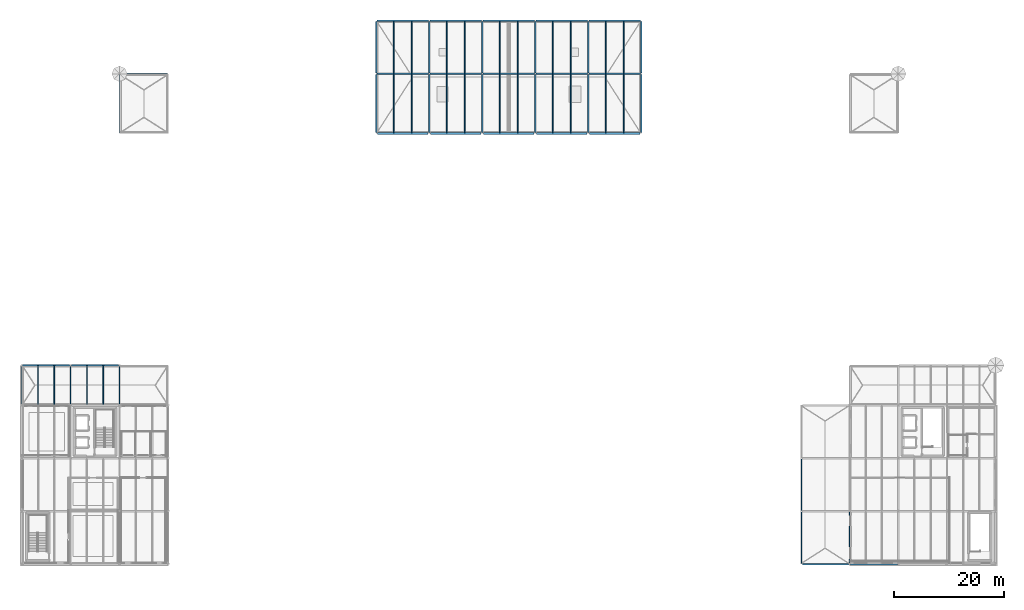
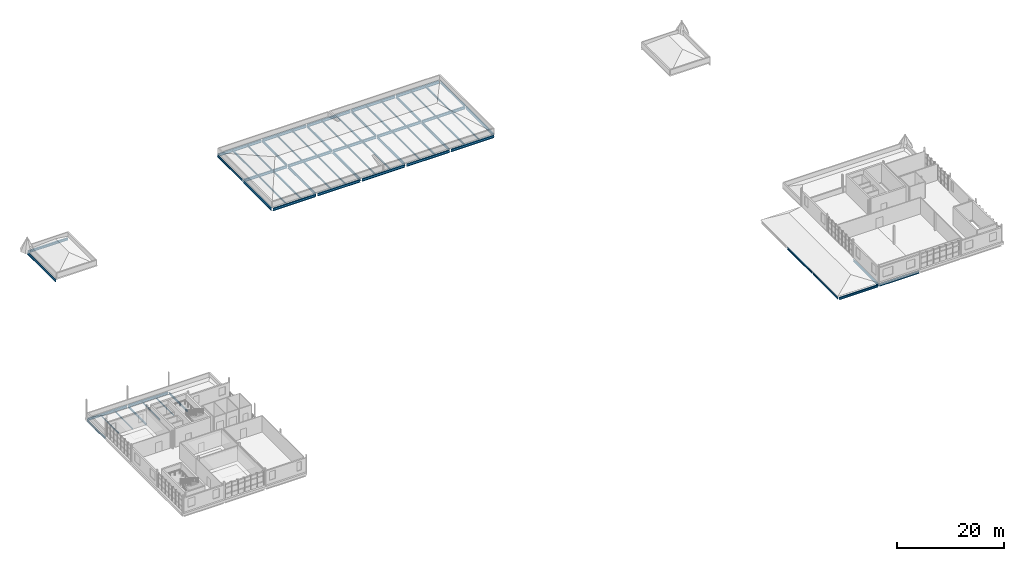
# One storey, part 10 of 28: 63 beams.
"""IFC4 building model written with IfcOpenShell, lengths in metres."""

from ifc_helpers import new_model, si_unit, direction, frame, origin, origin_2d, place, context, subcontext, project, spatial, i_section, extrude, material, material_profile, profile_set, type_object, element, save


model = new_model("IFC4")

# Units and contexts
model_context = context("Model", 3, precision=1e-05, world=origin(), true_north=direction((0.0, 1.0)))
body_context = subcontext(model_context, "Body", "Model", "MODEL_VIEW")
ifc_project = project(units=[si_unit("LENGTHUNIT", "METRE"), si_unit("AREAUNIT", "SQUARE_METRE"), si_unit("VOLUMEUNIT", "CUBIC_METRE"), si_unit("PLANEANGLEUNIT", "RADIAN"), si_unit("MASSUNIT", "GRAM", prefix="KILO")], contexts=[model_context])

# Site, building, storey
site_placement = place(None, origin())
site = spatial("IfcSite", under=ifc_project, at=site_placement, CompositionType="ELEMENT")
building_placement = place(site_placement, origin())
building = spatial("IfcBuilding", under=site, at=building_placement, Name="Yeouljin Market Hall", CompositionType="ELEMENT")
storey_placement = place(building_placement, frame((0.0, 0.0, 15.0)))
storey = spatial("IfcBuildingStorey", under=building, at=storey_placement, Name="L03", CompositionType="ELEMENT", Elevation=15.0)

# Beams
ifc_material_1 = material(Name="Steel SM355", Category="steel")
ifc_material_profile_1 = material_profile(ifc_material_1, i_section(OverallWidth=0.199951171875, OverallDepth=0.39990234375, WebThickness=0.008056640625, FlangeThickness=0.012939453125, FilletRadius=0.01611328125, at=origin_2d()), Name="H-400x200x8x13")
ifc_profile_set_1 = profile_set([ifc_material_profile_1], Name="Steel SM355")
beam_type_1 = type_object("IfcBeamType", Name="Beam_H-400x200x8x13", PredefinedType="BEAM", material=ifc_profile_set_1)
for number, where, z_axis, x_axis, name in (
    (1, (0.0, 28.949951171875, -0.465087890625), (0.0, 1.0, 0.0), (-1.0, 0.0, 0.0), "Primary beam BM-L03-Y049"),
    (2, (8.85009765625, 28.949951171875, -0.465087890625), (0.0, 1.0, 0.0), (-1.0, 0.0, 0.0), "Primary beam BM-L03-Y053"),
    (3, (17.699951171875, 28.949951171875, -0.465087890625), (0.0, 1.0, 0.0), (-1.0, 0.0, 0.0), "Primary beam BM-L03-Y057"),
):
    element("IfcBeam", number, at=place(storey_placement, frame(where, z_axis=z_axis, x_axis=x_axis)), inside=storey, type_object=beam_type_1, Name=name, PredefinedType="BEAM", context=body_context, shape_type="SweptSolid", body=[
        extrude(i_section(OverallWidth=0.199951171875, OverallDepth=0.39990234375, WebThickness=0.008056640625, FlangeThickness=0.012939453125, FilletRadius=0.01611328125, at=origin_2d()), origin(), (0.0, 0.0, 1.0), 6.900146484375),
    ])
ifc_material_2 = material(Name="Steel SM355", Category="steel")
ifc_material_profile_2 = material_profile(ifc_material_2, i_section(OverallWidth=0.199951171875, OverallDepth=0.449951171875, WebThickness=0.009033203125, FlangeThickness=0.013916015625, FilletRadius=0.01806640625, at=origin_2d()), Name="H-450x200x9x14")
ifc_profile_set_2 = profile_set([ifc_material_profile_2], Name="Steel SM355")
beam_type_2 = type_object("IfcBeamType", Name="Beam_H-450x200x9x14", PredefinedType="BEAM", material=ifc_profile_set_2)
for number, where, z_axis, x_axis, name in (
    (4, (141.2451171875, 0.14990234375, -0.52490234375), (0.0, 1.0, 0.0), (-1.0, 0.0, 0.0), "Harbour terrace pergola beam BM-L02TR-Y05"),
    (5, (141.2451171875, 9.75, -0.52490234375), (0.0, 1.0, 0.0), (-1.0, 0.0, 0.0), "Harbour terrace pergola beam BM-L02TR-Y06"),
):
    element("IfcBeam", number, at=place(storey_placement, frame(where, z_axis=z_axis, x_axis=x_axis)), inside=storey, type_object=beam_type_2, Name=name, PredefinedType="BEAM", context=body_context, shape_type="SweptSolid", body=[
        extrude(i_section(OverallWidth=0.199951171875, OverallDepth=0.449951171875, WebThickness=0.009033203125, FlangeThickness=0.013916015625, FilletRadius=0.01806640625, at=origin_2d()), origin(), (0.0, 0.0, 1.0), 9.300048828125),
    ])
ifc_material_3 = material(Name="Steel SM355", Category="steel")
ifc_material_profile_3 = material_profile(ifc_material_3, i_section(OverallWidth=0.199951171875, OverallDepth=0.5, WebThickness=0.010009765625, FlangeThickness=0.01611328125, FilletRadius=0.02001953125, at=origin_2d()), Name="H-500x200x10x16")
ifc_profile_set_3 = profile_set([ifc_material_profile_3], Name="Steel SM355")
beam_type_3 = type_object("IfcBeamType", Name="Beam_H-500x200x10x16", PredefinedType="BEAM", material=ifc_profile_set_3)
for number, where, z_axis, x_axis, name in (
    (6, (64.199951171875, 88.925048828125, -0.530029296875), (0.0, 1.0, 0.0), (-1.0, 0.0, 0.0), "Primary beam BM-L03-Y063"),
    (7, (73.800048828125, 88.925048828125, -0.530029296875), (0.0, 1.0, 0.0), (-1.0, 0.0, 0.0), "Primary beam BM-L03-Y065"),
    (8, (83.39990234375, 88.925048828125, -0.530029296875), (0.0, 1.0, 0.0), (-1.0, 0.0, 0.0), "Primary beam BM-L03-Y067"),
    (9, (93.0, 88.925048828125, -0.530029296875), (0.0, 1.0, 0.0), (-1.0, 0.0, 0.0), "Primary beam BM-L03-Y069"),
    (10, (102.60009765625, 88.925048828125, -0.530029296875), (0.0, 1.0, 0.0), (-1.0, 0.0, 0.0), "Primary beam BM-L03-Y071"),
    (11, (112.199951171875, 88.925048828125, -0.530029296875), (0.0, 1.0, 0.0), (-1.0, 0.0, 0.0), "Primary beam BM-L03-Y073"),
):
    element("IfcBeam", number, at=place(storey_placement, frame(where, z_axis=z_axis, x_axis=x_axis)), inside=storey, type_object=beam_type_3, Name=name, PredefinedType="BEAM", context=body_context, shape_type="SweptSolid", body=[
        extrude(i_section(OverallWidth=0.199951171875, OverallDepth=0.5, WebThickness=0.010009765625, FlangeThickness=0.01611328125, FilletRadius=0.02001953125, at=origin_2d()), origin(), (0.0, 0.0, 1.0), 9.349853515625),
    ])
beam_1_placement = place(storey_placement, frame((149.909912109375, 0.125, -0.5048828125), z_axis=(0.0, 1.0, 0.0), x_axis=(-1.0, 0.0, 0.0)))
element("IfcBeam", 12, at=beam_1_placement, inside=storey, type_object=beam_type_3, Name="Primary beam BM-L03-Y074", PredefinedType="BEAM", context=body_context, shape_type="SweptSolid", body=[
    extrude(i_section(OverallWidth=0.199951171875, OverallDepth=0.5, WebThickness=0.010009765625, FlangeThickness=0.01611328125, FilletRadius=0.02001953125, at=origin_2d()), origin(), (0.0, 0.0, 1.0), 9.35009765625),
])
ifc_material_4 = material(Name="Steel SM355", Category="steel")
ifc_material_profile_4 = material_profile(ifc_material_4, i_section(OverallWidth=0.199951171875, OverallDepth=0.60009765625, WebThickness=0.010986328125, FlangeThickness=0.01708984375, FilletRadius=0.02197265625, at=origin_2d()), Name="H-600x200x11x17")
ifc_profile_set_4 = profile_set([ifc_material_profile_4], Name="Steel SM355")
beam_type_4 = type_object("IfcBeamType", Name="Beam_H-600x200x11x17", PredefinedType="BEAM", material=ifc_profile_set_4)
beam_2_placement = place(storey_placement, frame((17.699951171875, 78.125, -0.56494140625), z_axis=(0.0, 1.0, 0.0), x_axis=(-1.0, 0.0, 0.0)))
element("IfcBeam", 13, at=beam_2_placement, inside=storey, type_object=beam_type_4, Name="Primary beam BM-L03-Y058", PredefinedType="BEAM", context=body_context, shape_type="SweptSolid", body=[
    extrude(i_section(OverallWidth=0.199951171875, OverallDepth=0.60009765625, WebThickness=0.010986328125, FlangeThickness=0.01708984375, FilletRadius=0.02197265625, at=origin_2d()), origin(), (0.0, 0.0, 1.0), 10.550048828125),
])
for number, where, z_axis, x_axis, name in (
    (14, (64.199951171875, 78.199951171875, -0.580078125), (0.0, 1.0, 0.0), (-1.0, 0.0, 0.0), "Primary beam BM-L03-Y062"),
    (15, (73.800048828125, 78.199951171875, -0.580078125), (0.0, 1.0, 0.0), (-1.0, 0.0, 0.0), "Primary beam BM-L03-Y064"),
    (16, (83.39990234375, 78.199951171875, -0.580078125), (0.0, 1.0, 0.0), (-1.0, 0.0, 0.0), "Primary beam BM-L03-Y066"),
    (17, (93.0, 78.199951171875, -0.580078125), (0.0, 1.0, 0.0), (-1.0, 0.0, 0.0), "Primary beam BM-L03-Y068"),
    (18, (102.60009765625, 78.199951171875, -0.580078125), (0.0, 1.0, 0.0), (-1.0, 0.0, 0.0), "Primary beam BM-L03-Y070"),
    (19, (112.199951171875, 78.199951171875, -0.580078125), (0.0, 1.0, 0.0), (-1.0, 0.0, 0.0), "Primary beam BM-L03-Y072"),
):
    element("IfcBeam", number, at=place(storey_placement, frame(where, z_axis=z_axis, x_axis=x_axis)), inside=storey, type_object=beam_type_4, Name=name, PredefinedType="BEAM", context=body_context, shape_type="SweptSolid", body=[
        extrude(i_section(OverallWidth=0.199951171875, OverallDepth=0.60009765625, WebThickness=0.010986328125, FlangeThickness=0.01708984375, FilletRadius=0.02197265625, at=origin_2d()), origin(), (0.0, 0.0, 1.0), 10.47509765625),
    ])
ifc_material_5 = material(Name="Steel SM355", Category="steel")
ifc_material_profile_5 = material_profile(ifc_material_5, i_section(OverallWidth=0.300048828125, OverallDepth=0.488037109375, WebThickness=0.010986328125, FlangeThickness=0.01806640625, FilletRadius=0.02197265625, at=origin_2d()), Name="H-488x300x11x18")
ifc_profile_set_5 = profile_set([ifc_material_profile_5], Name="Steel SM355")
beam_type_5 = type_object("IfcBeamType", Name="Girder_H-488x300x11x18", PredefinedType="USERDEFINED", material=ifc_profile_set_5)
beam_3_placement = place(storey_placement, frame((150.034912109375, 0.0, -0.509033203125), z_axis=(1.0, 0.0, 0.0), x_axis=(0.0, 1.0, 0.0)))
element("IfcBeam", 20, at=beam_3_placement, inside=storey, type_object=beam_type_5, Name="Primary girder GRD-L03-X004", ObjectType="GIRDER", PredefinedType="USERDEFINED", context=body_context, shape_type="SweptSolid", body=[
    extrude(i_section(OverallWidth=0.300048828125, OverallDepth=0.488037109375, WebThickness=0.010986328125, FlangeThickness=0.01806640625, FilletRadius=0.02197265625, at=origin_2d()), origin(), (0.0, 0.0, 1.0), 8.580078125),
])
for number, where, z_axis, x_axis, name in (
    (21, (0.14990234375, 36.0, -0.493896484375), (1.0, 0.0, 0.0), (0.0, 1.0, 0.0), "Primary girder GRD-L03-X025"),
    (22, (9.0, 36.0, -0.493896484375), (1.0, 0.0, 0.0), (0.0, 1.0, 0.0), "Primary girder GRD-L03-X026"),
):
    element("IfcBeam", number, at=place(storey_placement, frame(where, z_axis=z_axis, x_axis=x_axis)), inside=storey, type_object=beam_type_5, Name=name, ObjectType="GIRDER", PredefinedType="USERDEFINED", context=body_context, shape_type="SweptSolid", body=[
        extrude(i_section(OverallWidth=0.300048828125, OverallDepth=0.488037109375, WebThickness=0.010986328125, FlangeThickness=0.01806640625, FilletRadius=0.02197265625, at=origin_2d()), origin(), (0.0, 0.0, 1.0), 8.550048828125),
    ])
beam_4_placement = place(storey_placement, frame((17.824951171875, 88.800048828125, -0.509033203125), z_axis=(1.0, 0.0, 0.0), x_axis=(0.0, 1.0, 0.0)))
element("IfcBeam", 23, at=beam_4_placement, inside=storey, type_object=beam_type_5, Name="Primary girder GRD-L03-X034", ObjectType="GIRDER", PredefinedType="USERDEFINED", context=body_context, shape_type="SweptSolid", body=[
    extrude(i_section(OverallWidth=0.300048828125, OverallDepth=0.488037109375, WebThickness=0.010986328125, FlangeThickness=0.01806640625, FilletRadius=0.02197265625, at=origin_2d()), origin(), (0.0, 0.0, 1.0), 8.60009765625),
])
beam_5_placement = place(storey_placement, frame((141.39501953125, 0.0, -0.5439453125), z_axis=(1.0, 0.0, 0.0), x_axis=(0.0, 1.0, 0.0)))
element("IfcBeam", 24, at=beam_5_placement, inside=storey, type_object=beam_type_5, Name="Harbour terrace pergola girder GRD-L02TR-X01", ObjectType="GIRDER", PredefinedType="USERDEFINED", context=body_context, shape_type="SweptSolid", body=[
    extrude(i_section(OverallWidth=0.300048828125, OverallDepth=0.488037109375, WebThickness=0.010986328125, FlangeThickness=0.01806640625, FilletRadius=0.02197265625, at=origin_2d()), origin(), (0.0, 0.0, 1.0), 8.389892578125),
])
ifc_material_6 = material(Name="Steel SM355", Category="steel")
ifc_material_profile_6 = material_profile(ifc_material_6, i_section(OverallWidth=0.300048828125, OverallDepth=0.587890625, WebThickness=0.011962890625, FlangeThickness=0.02001953125, FilletRadius=0.02392578125, at=origin_2d()), Name="H-588x300x12x20")
ifc_profile_set_6 = profile_set([ifc_material_profile_6], Name="Steel SM355")
beam_type_6 = type_object("IfcBeamType", Name="Girder_H-588x300x12x20", PredefinedType="USERDEFINED", material=ifc_profile_set_6)
beam_6_placement = place(storey_placement, frame((64.39990234375, 78.0, -0.573974609375), z_axis=(1.0, 0.0, 0.0), x_axis=(0.0, 1.0, 0.0)))
element("IfcBeam", 25, at=beam_6_placement, inside=storey, type_object=beam_type_6, Name="Primary girder GRD-L03-X029", ObjectType="GIRDER", PredefinedType="USERDEFINED", context=body_context, shape_type="SweptSolid", body=[
    extrude(i_section(OverallWidth=0.300048828125, OverallDepth=0.587890625, WebThickness=0.011962890625, FlangeThickness=0.02001953125, FilletRadius=0.02392578125, at=origin_2d()), origin(), (0.0, 0.0, 1.0), 9.2001953125),
])
for number, where, z_axis, x_axis, name in (
    (26, (74.0, 78.0, -0.573974609375), (1.0, 0.0, 0.0), (0.0, 1.0, 0.0), "Primary girder GRD-L03-X030"),
    (27, (83.60009765625, 78.0, -0.573974609375), (1.0, 0.0, 0.0), (0.0, 1.0, 0.0), "Primary girder GRD-L03-X031"),
    (28, (93.199951171875, 78.0, -0.573974609375), (1.0, 0.0, 0.0), (0.0, 1.0, 0.0), "Primary girder GRD-L03-X032"),
    (29, (102.800048828125, 78.0, -0.573974609375), (1.0, 0.0, 0.0), (0.0, 1.0, 0.0), "Primary girder GRD-L03-X033"),
):
    element("IfcBeam", number, at=place(storey_placement, frame(where, z_axis=z_axis, x_axis=x_axis)), inside=storey, type_object=beam_type_6, Name=name, ObjectType="GIRDER", PredefinedType="USERDEFINED", context=body_context, shape_type="SweptSolid", body=[
        extrude(i_section(OverallWidth=0.300048828125, OverallDepth=0.587890625, WebThickness=0.011962890625, FlangeThickness=0.02001953125, FilletRadius=0.02392578125, at=origin_2d()), origin(), (0.0, 0.0, 1.0), 9.199951171875),
    ])
beam_7_placement = place(storey_placement, frame((64.324951171875, 88.800048828125, -0.573974609375), z_axis=(1.0, 0.0, 0.0), x_axis=(0.0, 1.0, 0.0)))
element("IfcBeam", 30, at=beam_7_placement, inside=storey, type_object=beam_type_6, Name="Primary girder GRD-L03-X035", ObjectType="GIRDER", PredefinedType="USERDEFINED", context=body_context, shape_type="SweptSolid", body=[
    extrude(i_section(OverallWidth=0.300048828125, OverallDepth=0.587890625, WebThickness=0.011962890625, FlangeThickness=0.02001953125, FilletRadius=0.02392578125, at=origin_2d()), origin(), (0.0, 0.0, 1.0), 9.35009765625),
])
beam_8_placement = place(storey_placement, frame((73.925048828125, 88.800048828125, -0.573974609375), z_axis=(1.0, 0.0, 0.0), x_axis=(0.0, 1.0, 0.0)))
element("IfcBeam", 31, at=beam_8_placement, inside=storey, type_object=beam_type_6, Name="Primary girder GRD-L03-X036", ObjectType="GIRDER", PredefinedType="USERDEFINED", context=body_context, shape_type="SweptSolid", body=[
    extrude(i_section(OverallWidth=0.300048828125, OverallDepth=0.587890625, WebThickness=0.011962890625, FlangeThickness=0.02001953125, FilletRadius=0.02392578125, at=origin_2d()), origin(), (0.0, 0.0, 1.0), 9.349853515625),
])
for number, where, z_axis, x_axis, name in (
    (32, (83.52490234375, 88.800048828125, -0.573974609375), (1.0, 0.0, 0.0), (0.0, 1.0, 0.0), "Primary girder GRD-L03-X037"),
    (33, (93.125, 88.800048828125, -0.573974609375), (1.0, 0.0, 0.0), (0.0, 1.0, 0.0), "Primary girder GRD-L03-X038"),
):
    element("IfcBeam", number, at=place(storey_placement, frame(where, z_axis=z_axis, x_axis=x_axis)), inside=storey, type_object=beam_type_6, Name=name, ObjectType="GIRDER", PredefinedType="USERDEFINED", context=body_context, shape_type="SweptSolid", body=[
        extrude(i_section(OverallWidth=0.300048828125, OverallDepth=0.587890625, WebThickness=0.011962890625, FlangeThickness=0.02001953125, FilletRadius=0.02392578125, at=origin_2d()), origin(), (0.0, 0.0, 1.0), 9.35009765625),
    ])
beam_9_placement = place(storey_placement, frame((102.72509765625, 88.800048828125, -0.573974609375), z_axis=(1.0, 0.0, 0.0), x_axis=(0.0, 1.0, 0.0)))
element("IfcBeam", 34, at=beam_9_placement, inside=storey, type_object=beam_type_6, Name="Primary girder GRD-L03-X039", ObjectType="GIRDER", PredefinedType="USERDEFINED", context=body_context, shape_type="SweptSolid", body=[
    extrude(i_section(OverallWidth=0.300048828125, OverallDepth=0.587890625, WebThickness=0.011962890625, FlangeThickness=0.02001953125, FilletRadius=0.02392578125, at=origin_2d()), origin(), (0.0, 0.0, 1.0), 9.349853515625),
])
beam_10_placement = place(storey_placement, frame((64.324951171875, 98.39990234375, -0.573974609375), z_axis=(1.0, 0.0, 0.0), x_axis=(0.0, 1.0, 0.0)))
element("IfcBeam", 35, at=beam_10_placement, inside=storey, type_object=beam_type_6, Name="Primary girder GRD-L03-X041", ObjectType="GIRDER", PredefinedType="USERDEFINED", context=body_context, shape_type="SweptSolid", body=[
    extrude(i_section(OverallWidth=0.300048828125, OverallDepth=0.587890625, WebThickness=0.011962890625, FlangeThickness=0.02001953125, FilletRadius=0.02392578125, at=origin_2d()), origin(), (0.0, 0.0, 1.0), 9.35009765625),
])
beam_11_placement = place(storey_placement, frame((73.925048828125, 98.39990234375, -0.573974609375), z_axis=(1.0, 0.0, 0.0), x_axis=(0.0, 1.0, 0.0)))
element("IfcBeam", 36, at=beam_11_placement, inside=storey, type_object=beam_type_6, Name="Primary girder GRD-L03-X042", ObjectType="GIRDER", PredefinedType="USERDEFINED", context=body_context, shape_type="SweptSolid", body=[
    extrude(i_section(OverallWidth=0.300048828125, OverallDepth=0.587890625, WebThickness=0.011962890625, FlangeThickness=0.02001953125, FilletRadius=0.02392578125, at=origin_2d()), origin(), (0.0, 0.0, 1.0), 9.349853515625),
])
for number, where, z_axis, x_axis, name in (
    (37, (83.52490234375, 98.39990234375, -0.573974609375), (1.0, 0.0, 0.0), (0.0, 1.0, 0.0), "Primary girder GRD-L03-X043"),
    (38, (93.125, 98.39990234375, -0.573974609375), (1.0, 0.0, 0.0), (0.0, 1.0, 0.0), "Primary girder GRD-L03-X044"),
):
    element("IfcBeam", number, at=place(storey_placement, frame(where, z_axis=z_axis, x_axis=x_axis)), inside=storey, type_object=beam_type_6, Name=name, ObjectType="GIRDER", PredefinedType="USERDEFINED", context=body_context, shape_type="SweptSolid", body=[
        extrude(i_section(OverallWidth=0.300048828125, OverallDepth=0.587890625, WebThickness=0.011962890625, FlangeThickness=0.02001953125, FilletRadius=0.02392578125, at=origin_2d()), origin(), (0.0, 0.0, 1.0), 9.35009765625),
    ])
beam_12_placement = place(storey_placement, frame((102.72509765625, 98.39990234375, -0.573974609375), z_axis=(1.0, 0.0, 0.0), x_axis=(0.0, 1.0, 0.0)))
element("IfcBeam", 39, at=beam_12_placement, inside=storey, type_object=beam_type_6, Name="Primary girder GRD-L03-X045", ObjectType="GIRDER", PredefinedType="USERDEFINED", context=body_context, shape_type="SweptSolid", body=[
    extrude(i_section(OverallWidth=0.300048828125, OverallDepth=0.587890625, WebThickness=0.011962890625, FlangeThickness=0.02001953125, FilletRadius=0.02392578125, at=origin_2d()), origin(), (0.0, 0.0, 1.0), 9.349853515625),
])
ifc_material_7 = material(Name="Steel SM355", Category="steel")
ifc_material_profile_7 = material_profile(ifc_material_7, i_section(OverallWidth=0.125, OverallDepth=0.25, WebThickness=0.006103515625, FlangeThickness=0.009033203125, FilletRadius=0.011962890625, at=origin_2d()), Name="H-250x125x6x9")
ifc_profile_set_7 = profile_set([ifc_material_profile_7], Name="Steel SM355")
beam_type_7 = type_object("IfcBeamType", Name="Joist_H-250x125x6x9", PredefinedType="JOIST", material=ifc_profile_set_7)
for number, where, z_axis, x_axis, name in (
    (40, (2.949951171875, 28.947021484375, -0.389892578125), (0.0, 1.0, 0.0), (-1.0, 0.0, 0.0), "Secondary floor joist L03-006"),
    (41, (5.89990234375, 28.947021484375, -0.389892578125), (0.0, 1.0, 0.0), (-1.0, 0.0, 0.0), "Secondary floor joist L03-007"),
    (42, (11.800048828125, 28.947021484375, -0.389892578125), (0.0, 1.0, 0.0), (-1.0, 0.0, 0.0), "Secondary floor joist L03-012"),
    (43, (14.75, 28.947021484375, -0.389892578125), (0.0, 1.0, 0.0), (-1.0, 0.0, 0.0), "Secondary floor joist L03-013"),
):
    element("IfcBeam", number, at=place(storey_placement, frame(where, z_axis=z_axis, x_axis=x_axis)), inside=storey, type_object=beam_type_7, Name=name, PredefinedType="JOIST", context=body_context, shape_type="SweptSolid", body=[
        extrude(i_section(OverallWidth=0.125, OverallDepth=0.25, WebThickness=0.006103515625, FlangeThickness=0.009033203125, FilletRadius=0.011962890625, at=origin_2d()), origin(), (0.0, 0.0, 1.0), 7.046875),
    ])
ifc_material_8 = material(Name="Steel SM355", Category="steel")
ifc_material_profile_8 = material_profile(ifc_material_8, i_section(OverallWidth=0.175048828125, OverallDepth=0.35009765625, WebThickness=0.007080078125, FlangeThickness=0.010986328125, FilletRadius=0.013916015625, at=origin_2d()), Name="H-350x175x7x11")
ifc_profile_set_8 = profile_set([ifc_material_profile_8], Name="Steel SM355")
beam_type_8 = type_object("IfcBeamType", Name="Joist_H-350x175x7x11", PredefinedType="JOIST", material=ifc_profile_set_8)
for number, where, z_axis, x_axis, name in (
    (44, (67.39990234375, 78.14697265625, -0.455078125), (0.0, 1.0, 0.0), (-1.0, 0.0, 0.0), "Secondary floor joist L03-020"),
    (45, (70.60009765625, 78.14697265625, -0.455078125), (0.0, 1.0, 0.0), (-1.0, 0.0, 0.0), "Secondary floor joist L03-021"),
):
    element("IfcBeam", number, at=place(storey_placement, frame(where, z_axis=z_axis, x_axis=x_axis)), inside=storey, type_object=beam_type_8, Name=name, PredefinedType="JOIST", context=body_context, shape_type="SweptSolid", body=[
        extrude(i_section(OverallWidth=0.175048828125, OverallDepth=0.35009765625, WebThickness=0.007080078125, FlangeThickness=0.010986328125, FilletRadius=0.013916015625, at=origin_2d()), origin(), (0.0, 0.0, 1.0), 10.506103515625),
    ])
for number, where, z_axis, x_axis, name in (
    (46, (67.39990234375, 88.947021484375, -0.455078125), (0.0, 1.0, 0.0), (-1.0, 0.0, 0.0), "Secondary floor joist L03-022"),
    (47, (70.60009765625, 88.947021484375, -0.455078125), (0.0, 1.0, 0.0), (-1.0, 0.0, 0.0), "Secondary floor joist L03-023"),
):
    element("IfcBeam", number, at=place(storey_placement, frame(where, z_axis=z_axis, x_axis=x_axis)), inside=storey, type_object=beam_type_8, Name=name, PredefinedType="JOIST", context=body_context, shape_type="SweptSolid", body=[
        extrude(i_section(OverallWidth=0.175048828125, OverallDepth=0.35009765625, WebThickness=0.007080078125, FlangeThickness=0.010986328125, FilletRadius=0.013916015625, at=origin_2d()), origin(), (0.0, 0.0, 1.0), 9.305908203125),
    ])
for number, where, z_axis, x_axis, name in (
    (48, (77.0, 78.14697265625, -0.455078125), (0.0, 1.0, 0.0), (-1.0, 0.0, 0.0), "Secondary floor joist L03-024"),
    (49, (80.199951171875, 78.14697265625, -0.455078125), (0.0, 1.0, 0.0), (-1.0, 0.0, 0.0), "Secondary floor joist L03-025"),
):
    element("IfcBeam", number, at=place(storey_placement, frame(where, z_axis=z_axis, x_axis=x_axis)), inside=storey, type_object=beam_type_8, Name=name, PredefinedType="JOIST", context=body_context, shape_type="SweptSolid", body=[
        extrude(i_section(OverallWidth=0.175048828125, OverallDepth=0.35009765625, WebThickness=0.007080078125, FlangeThickness=0.010986328125, FilletRadius=0.013916015625, at=origin_2d()), origin(), (0.0, 0.0, 1.0), 10.506103515625),
    ])
for number, where, z_axis, x_axis, name in (
    (50, (77.0, 88.947021484375, -0.455078125), (0.0, 1.0, 0.0), (-1.0, 0.0, 0.0), "Secondary floor joist L03-026"),
    (51, (80.199951171875, 88.947021484375, -0.455078125), (0.0, 1.0, 0.0), (-1.0, 0.0, 0.0), "Secondary floor joist L03-027"),
):
    element("IfcBeam", number, at=place(storey_placement, frame(where, z_axis=z_axis, x_axis=x_axis)), inside=storey, type_object=beam_type_8, Name=name, PredefinedType="JOIST", context=body_context, shape_type="SweptSolid", body=[
        extrude(i_section(OverallWidth=0.175048828125, OverallDepth=0.35009765625, WebThickness=0.007080078125, FlangeThickness=0.010986328125, FilletRadius=0.013916015625, at=origin_2d()), origin(), (0.0, 0.0, 1.0), 9.305908203125),
    ])
for number, where, z_axis, x_axis, name in (
    (52, (86.60009765625, 78.14697265625, -0.455078125), (0.0, 1.0, 0.0), (-1.0, 0.0, 0.0), "Secondary floor joist L03-028"),
    (53, (89.800048828125, 78.14697265625, -0.455078125), (0.0, 1.0, 0.0), (-1.0, 0.0, 0.0), "Secondary floor joist L03-029"),
):
    element("IfcBeam", number, at=place(storey_placement, frame(where, z_axis=z_axis, x_axis=x_axis)), inside=storey, type_object=beam_type_8, Name=name, PredefinedType="JOIST", context=body_context, shape_type="SweptSolid", body=[
        extrude(i_section(OverallWidth=0.175048828125, OverallDepth=0.35009765625, WebThickness=0.007080078125, FlangeThickness=0.010986328125, FilletRadius=0.013916015625, at=origin_2d()), origin(), (0.0, 0.0, 1.0), 10.506103515625),
    ])
for number, where, z_axis, x_axis, name in (
    (54, (86.60009765625, 88.947021484375, -0.455078125), (0.0, 1.0, 0.0), (-1.0, 0.0, 0.0), "Secondary floor joist L03-030"),
    (55, (89.800048828125, 88.947021484375, -0.455078125), (0.0, 1.0, 0.0), (-1.0, 0.0, 0.0), "Secondary floor joist L03-031"),
):
    element("IfcBeam", number, at=place(storey_placement, frame(where, z_axis=z_axis, x_axis=x_axis)), inside=storey, type_object=beam_type_8, Name=name, PredefinedType="JOIST", context=body_context, shape_type="SweptSolid", body=[
        extrude(i_section(OverallWidth=0.175048828125, OverallDepth=0.35009765625, WebThickness=0.007080078125, FlangeThickness=0.010986328125, FilletRadius=0.013916015625, at=origin_2d()), origin(), (0.0, 0.0, 1.0), 9.305908203125),
    ])
for number, where, z_axis, x_axis, name in (
    (56, (96.199951171875, 78.14697265625, -0.455078125), (0.0, 1.0, 0.0), (-1.0, 0.0, 0.0), "Secondary floor joist L03-032"),
    (57, (99.39990234375, 78.14697265625, -0.455078125), (0.0, 1.0, 0.0), (-1.0, 0.0, 0.0), "Secondary floor joist L03-033"),
):
    element("IfcBeam", number, at=place(storey_placement, frame(where, z_axis=z_axis, x_axis=x_axis)), inside=storey, type_object=beam_type_8, Name=name, PredefinedType="JOIST", context=body_context, shape_type="SweptSolid", body=[
        extrude(i_section(OverallWidth=0.175048828125, OverallDepth=0.35009765625, WebThickness=0.007080078125, FlangeThickness=0.010986328125, FilletRadius=0.013916015625, at=origin_2d()), origin(), (0.0, 0.0, 1.0), 10.506103515625),
    ])
for number, where, z_axis, x_axis, name in (
    (58, (96.199951171875, 88.947021484375, -0.455078125), (0.0, 1.0, 0.0), (-1.0, 0.0, 0.0), "Secondary floor joist L03-034"),
    (59, (99.39990234375, 88.947021484375, -0.455078125), (0.0, 1.0, 0.0), (-1.0, 0.0, 0.0), "Secondary floor joist L03-035"),
):
    element("IfcBeam", number, at=place(storey_placement, frame(where, z_axis=z_axis, x_axis=x_axis)), inside=storey, type_object=beam_type_8, Name=name, PredefinedType="JOIST", context=body_context, shape_type="SweptSolid", body=[
        extrude(i_section(OverallWidth=0.175048828125, OverallDepth=0.35009765625, WebThickness=0.007080078125, FlangeThickness=0.010986328125, FilletRadius=0.013916015625, at=origin_2d()), origin(), (0.0, 0.0, 1.0), 9.305908203125),
    ])
for number, where, z_axis, x_axis, name in (
    (60, (105.800048828125, 78.14697265625, -0.455078125), (0.0, 1.0, 0.0), (-1.0, 0.0, 0.0), "Secondary floor joist L03-036"),
    (61, (109.0, 78.14697265625, -0.455078125), (0.0, 1.0, 0.0), (-1.0, 0.0, 0.0), "Secondary floor joist L03-037"),
):
    element("IfcBeam", number, at=place(storey_placement, frame(where, z_axis=z_axis, x_axis=x_axis)), inside=storey, type_object=beam_type_8, Name=name, PredefinedType="JOIST", context=body_context, shape_type="SweptSolid", body=[
        extrude(i_section(OverallWidth=0.175048828125, OverallDepth=0.35009765625, WebThickness=0.007080078125, FlangeThickness=0.010986328125, FilletRadius=0.013916015625, at=origin_2d()), origin(), (0.0, 0.0, 1.0), 10.506103515625),
    ])
for number, where, z_axis, x_axis, name in (
    (62, (105.800048828125, 88.947021484375, -0.455078125), (0.0, 1.0, 0.0), (-1.0, 0.0, 0.0), "Secondary floor joist L03-038"),
    (63, (109.0, 88.947021484375, -0.455078125), (0.0, 1.0, 0.0), (-1.0, 0.0, 0.0), "Secondary floor joist L03-039"),
):
    element("IfcBeam", number, at=place(storey_placement, frame(where, z_axis=z_axis, x_axis=x_axis)), inside=storey, type_object=beam_type_8, Name=name, PredefinedType="JOIST", context=body_context, shape_type="SweptSolid", body=[
        extrude(i_section(OverallWidth=0.175048828125, OverallDepth=0.35009765625, WebThickness=0.007080078125, FlangeThickness=0.010986328125, FilletRadius=0.013916015625, at=origin_2d()), origin(), (0.0, 0.0, 1.0), 9.305908203125),
    ])

save(model, "model.ifc")
